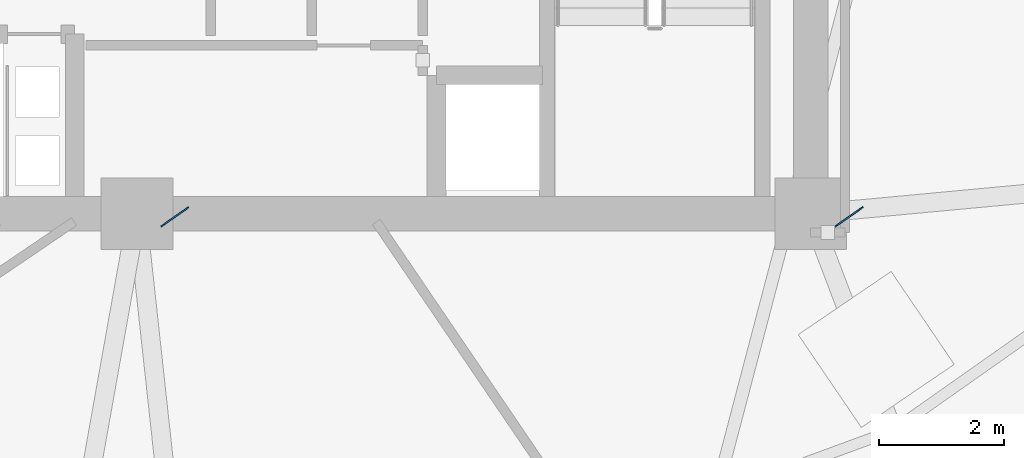
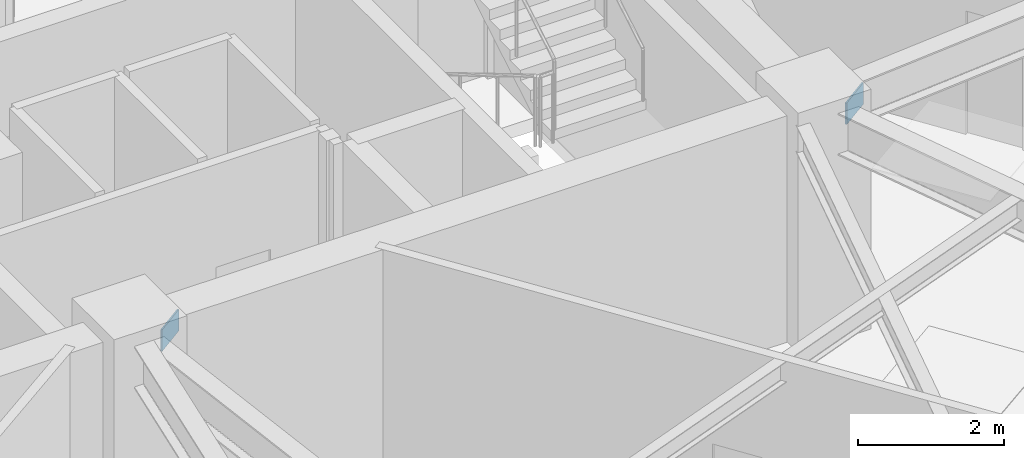
# One storey, part 6 of 16: 2 plates.
"""IFC4 building model written with IfcOpenShell, lengths in metres."""

from ifc_helpers import new_model, si_unit, direction, frame, origin, origin_2d, place, context, subcontext, project, spatial, rectangle, extrude, material, layer, layer_set, type_object, element, save


model = new_model("IFC4")

# Units and contexts
model_context = context("Model", 3, precision=1e-05, world=origin(), true_north=direction((0.0, 1.0)))
body_context = subcontext(model_context, "Body", "Model", "MODEL_VIEW")
ifc_project = project(units=[si_unit("LENGTHUNIT", "METRE"), si_unit("AREAUNIT", "SQUARE_METRE"), si_unit("VOLUMEUNIT", "CUBIC_METRE"), si_unit("PLANEANGLEUNIT", "RADIAN"), si_unit("MASSUNIT", "GRAM", prefix="KILO")], contexts=[model_context])

# Site, building, storey
site_placement = place(None, origin())
site = spatial("IfcSite", under=ifc_project, at=site_placement, CompositionType="ELEMENT")
building_placement = place(site_placement, origin())
building = spatial("IfcBuilding", under=site, at=building_placement, Name="Gaonmaruhae Medical Tower", CompositionType="ELEMENT")
storey_placement = place(building_placement, frame((0.0, 0.0, 169.800048828125)))
storey = spatial("IfcBuildingStorey", under=building, at=storey_placement, Name="L40", CompositionType="ELEMENT", Elevation=169.800048828125)

# Plates
ifc_material = material(Name="Steel HSA650 (650 MPa)", Category="steel")
ifc_layer = layer(ifc_material, 0.02392578125)
ifc_layer_set = layer_set([ifc_layer], Name="Steel HSA650 (650 MPa)")
plate_type = type_object("IfcPlateType", Name="SP-P1 Girder Web Splice Plate", PredefinedType="SHEET", material=ifc_layer_set)
for number, where, z_axis, x_axis, name in (
    (1, (25.405517578125, 7.750244140625, 3.25), (0.0, 0.0, 1.0), (0.817647619217, 0.575719003324, 0.0), "L40 Girder Web Splice Plate SPL1"),
    (2, (36.2177734375, 7.753173828125, 3.25), (0.0, 0.0, 1.0), (0.817647619217, 0.575719003324, 0.0), "L40 Girder Web Splice Plate SPL2"),
):
    element("IfcPlate", number, at=place(storey_placement, frame(where, z_axis=z_axis, x_axis=x_axis)), inside=storey, type_object=plate_type, Name=name, PredefinedType="SHEET", context=body_context, shape_type="SweptSolid", body=[
        extrude(rectangle(XDim=0.5400390625, YDim=0.02392578125, at=origin_2d()), origin(), (0.0, 0.0, 1.0), 0.360107421875),
    ])

save(model, "model.ifc")
